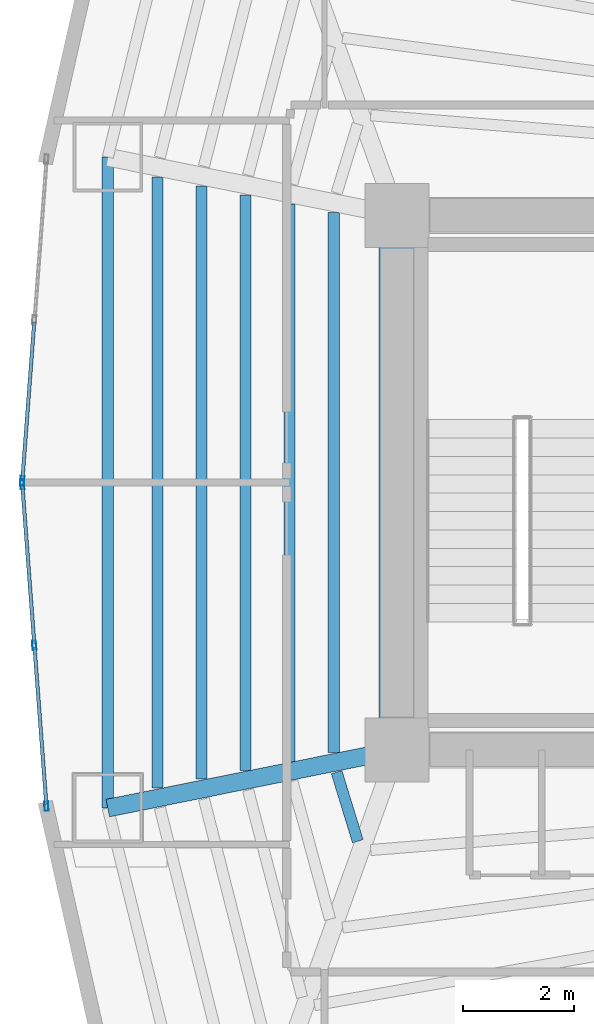
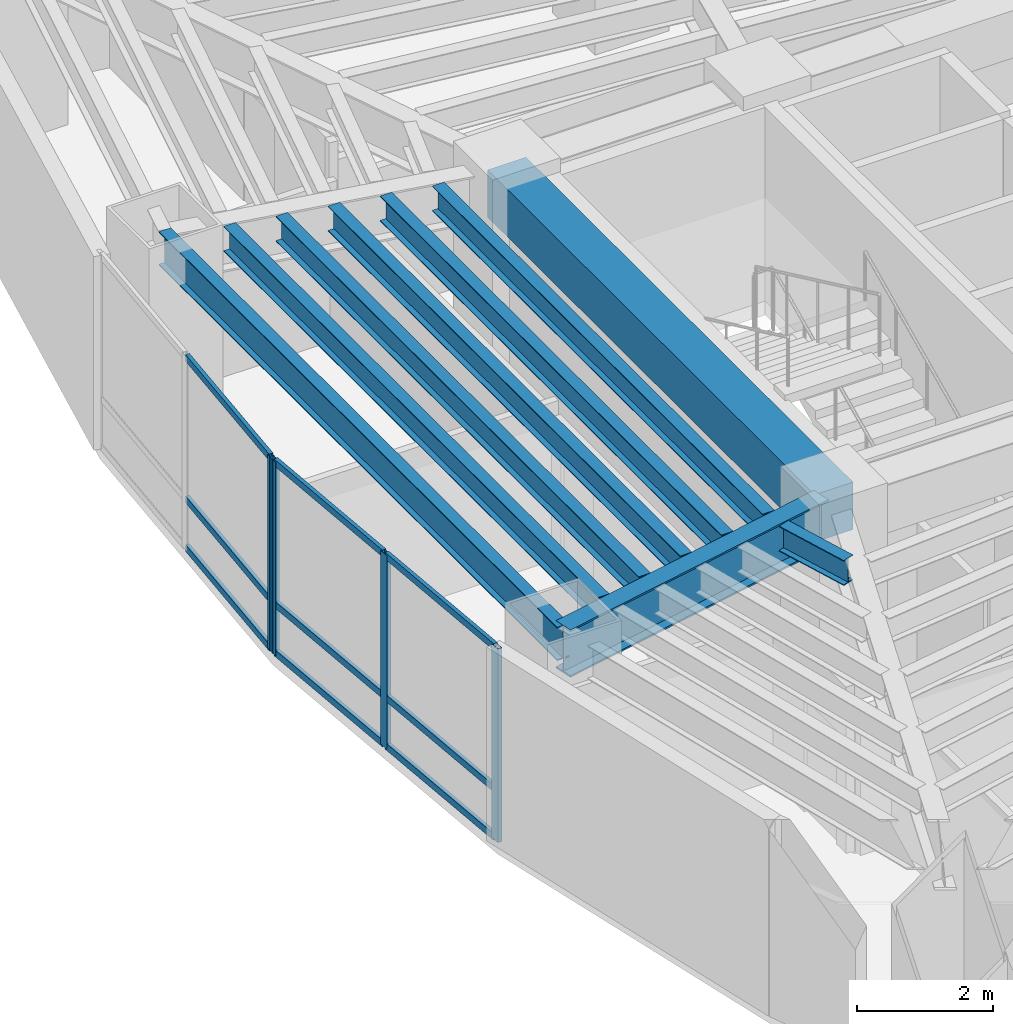
# One storey, part 3 of 16: 13 members, 9 beams, 2 elements without a shape of their own.
"""IFC4 building model written with IfcOpenShell, lengths in metres."""

from ifc_helpers import new_model, si_unit, direction, frame, origin, origin_2d, place, context, subcontext, project, spatial, rectangle, hollow_rectangle, i_section, extrude, material, layer, layer_set, material_profile, profile_set, type_object, element, aggregate, save


model = new_model("IFC4")

# Units and contexts
model_context = context("Model", 3, precision=1e-05, world=origin(), true_north=direction((0.0, 1.0)))
body_context = subcontext(model_context, "Body", "Model", "MODEL_VIEW")
ifc_project = project(units=[si_unit("LENGTHUNIT", "METRE"), si_unit("AREAUNIT", "SQUARE_METRE"), si_unit("VOLUMEUNIT", "CUBIC_METRE"), si_unit("PLANEANGLEUNIT", "RADIAN"), si_unit("MASSUNIT", "GRAM", prefix="KILO")], contexts=[model_context])

# Site, building, storey
site_placement = place(None, origin())
site = spatial("IfcSite", under=ifc_project, at=site_placement, CompositionType="ELEMENT")
building_placement = place(site_placement, origin())
building = spatial("IfcBuilding", under=site, at=building_placement, Name="Menara Vayukalpa", CompositionType="ELEMENT")
storey_placement = place(building_placement, frame((0.0, 0.0, 75.9599609375)))
storey = spatial("IfcBuildingStorey", under=building, at=storey_placement, Name="L18", CompositionType="ELEMENT", Elevation=75.9599609375)

# Beams
ifc_material_1 = material(Name="Concrete C60/75", Category="concrete")
ifc_material_profile_1 = material_profile(ifc_material_1, rectangle(XDim=0.64990234375, YDim=0.85009765625, at=origin_2d()), Name="RC 650x850")
ifc_profile_set_1 = profile_set([ifc_material_profile_1], Name="Concrete C60/75")
beam_type_1 = type_object("IfcBeamType", Name="BM-CB1", PredefinedType="BEAM", material=ifc_profile_set_1)
beam_1_placement = place(storey_placement, frame((17.800048828125, 17.199951171875, 3.044921875), z_axis=(0.0, 1.0, 0.0), x_axis=(-1.0, 0.0, 0.0)))
element("IfcBeam", 1, at=beam_1_placement, inside=storey, type_object=beam_type_1, Name="L18 Core Tie Beam CBR7", PredefinedType="BEAM", context=body_context, shape_type="SweptSolid", body=[
    extrude(rectangle(XDim=0.64990234375, YDim=0.85009765625, at=origin_2d()), origin(), (0.0, 0.0, 1.0), 9.60009765625),
])
ifc_material_2 = material(Name="Steel S355", Category="steel")
ifc_material_profile_2 = material_profile(ifc_material_2, i_section(OverallWidth=0.320068359375, OverallDepth=0.85009765625, WebThickness=0.01611328125, FlangeThickness=0.030029296875, at=origin_2d()), Name="WF 850x320x16x30")
ifc_profile_set_2 = profile_set([ifc_material_profile_2], Name="Steel S355")
beam_type_2 = type_object("IfcBeamType", Name="BM-PG2", PredefinedType="BEAM", material=ifc_profile_set_2)
beam_2_placement = place(storey_placement, frame((17.554931640625, 17.150634765625, 3.044921875), z_axis=(-0.980324984906, -0.197390283373, 0.0), x_axis=(0.197390283373, -0.980324984906, 0.0)))
element("IfcBeam", 2, at=beam_2_placement, inside=storey, type_object=beam_type_2, Name="L18 Primary Radial Girder RG06", PredefinedType="BEAM", context=body_context, shape_type="SweptSolid", body=[
    extrude(i_section(OverallWidth=0.320068359375, OverallDepth=0.85009765625, WebThickness=0.01611328125, FlangeThickness=0.030029296875, at=origin_2d()), origin(), (0.0, 0.0, 1.0), 5.047607421875),
])
ifc_material_3 = material(Name="Steel S355", Category="steel")
ifc_material_profile_3 = material_profile(ifc_material_3, i_section(OverallWidth=0.199951171875, OverallDepth=0.449951171875, WebThickness=0.009033203125, FlangeThickness=0.013916015625, at=origin_2d()), Name="WF 450x200x9x14")
ifc_profile_set_3 = profile_set([ifc_material_profile_3], Name="Steel S355")
beam_type_3 = type_object("IfcBeamType", Name="BM-SJ1", PredefinedType="JOIST", material=ifc_profile_set_3)
beam_3_placement = place(storey_placement, frame((16.664306640625, 26.8486328125, 3.2451171875), z_axis=(0.0, -1.0, 0.0), x_axis=(1.0, 0.0, 0.0)))
element("IfcBeam", 3, at=beam_3_placement, inside=storey, type_object=beam_type_3, Name="L18 Secondary Floor Joist SJ05-1", PredefinedType="JOIST", context=body_context, shape_type="SweptSolid", body=[
    extrude(i_section(OverallWidth=0.199951171875, OverallDepth=0.449951171875, WebThickness=0.009033203125, FlangeThickness=0.013916015625, at=origin_2d()), origin(), (0.0, 0.0, 1.0), 9.697265625),
])
beam_4_placement = place(storey_placement, frame((15.87255859375, 27.008056640625, 3.2451171875), z_axis=(0.0, -1.0, 0.0), x_axis=(1.0, 0.0, 0.0)))
element("IfcBeam", 4, at=beam_4_placement, inside=storey, type_object=beam_type_3, Name="L18 Secondary Floor Joist SJ05-2", PredefinedType="JOIST", context=body_context, shape_type="SweptSolid", body=[
    extrude(i_section(OverallWidth=0.199951171875, OverallDepth=0.449951171875, WebThickness=0.009033203125, FlangeThickness=0.013916015625, at=origin_2d()), origin(), (0.0, 0.0, 1.0), 10.01611328125),
])
beam_5_placement = place(storey_placement, frame((15.080810546875, 27.16748046875, 3.2451171875), z_axis=(0.0, -1.0, 0.0), x_axis=(1.0, 0.0, 0.0)))
element("IfcBeam", 5, at=beam_5_placement, inside=storey, type_object=beam_type_3, Name="L18 Secondary Floor Joist SJ05-3", PredefinedType="JOIST", context=body_context, shape_type="SweptSolid", body=[
    extrude(i_section(OverallWidth=0.199951171875, OverallDepth=0.449951171875, WebThickness=0.009033203125, FlangeThickness=0.013916015625, at=origin_2d()), origin(), (0.0, 0.0, 1.0), 10.3349609375),
])
beam_6_placement = place(storey_placement, frame((14.2890625, 27.326904296875, 3.2451171875), z_axis=(0.0, -1.0, 0.0), x_axis=(1.0, 0.0, 0.0)))
element("IfcBeam", 6, at=beam_6_placement, inside=storey, type_object=beam_type_3, Name="L18 Secondary Floor Joist SJ05-4", PredefinedType="JOIST", context=body_context, shape_type="SweptSolid", body=[
    extrude(i_section(OverallWidth=0.199951171875, OverallDepth=0.449951171875, WebThickness=0.009033203125, FlangeThickness=0.013916015625, at=origin_2d()), origin(), (0.0, 0.0, 1.0), 10.65380859375),
])
beam_7_placement = place(storey_placement, frame((13.497314453125, 27.486328125, 3.2451171875), z_axis=(0.0, -1.0, 0.0), x_axis=(1.0, 0.0, 0.0)))
element("IfcBeam", 7, at=beam_7_placement, inside=storey, type_object=beam_type_3, Name="L18 Secondary Floor Joist SJ05-5", PredefinedType="JOIST", context=body_context, shape_type="SweptSolid", body=[
    extrude(i_section(OverallWidth=0.199951171875, OverallDepth=0.449951171875, WebThickness=0.009033203125, FlangeThickness=0.013916015625, at=origin_2d()), origin(), (0.0, 0.0, 1.0), 10.97265625),
])
beam_8_placement = place(storey_placement, frame((16.716796875, 16.79931640625, 3.2451171875), z_axis=(0.292802109412, -0.95617306212, 0.0), x_axis=(0.95617306212, 0.292802109412, 0.0)))
element("IfcBeam", 8, at=beam_8_placement, inside=storey, type_object=beam_type_3, Name="L18 Secondary Floor Joist SJ06-1", PredefinedType="JOIST", context=body_context, shape_type="SweptSolid", body=[
    extrude(i_section(OverallWidth=0.199951171875, OverallDepth=0.449951171875, WebThickness=0.009033203125, FlangeThickness=0.013916015625, at=origin_2d()), origin(), (0.0, 0.0, 1.0), 1.296630859375),
])
ifc_material_4 = material(Name="Steel S355", Category="steel")
ifc_material_profile_4 = material_profile(ifc_material_4, i_section(OverallWidth=0.199951171875, OverallDepth=0.60009765625, WebThickness=0.010986328125, FlangeThickness=0.01708984375, at=origin_2d()), Name="WF 600x200x11x17")
ifc_profile_set_4 = profile_set([ifc_material_profile_4], Name="Steel S355")
beam_type_4 = type_object("IfcBeamType", Name="BM-SP1", PredefinedType="SPANDREL", material=ifc_profile_set_4)
beam_9_placement = place(storey_placement, frame((12.606689453125, 27.845703125, 3.169921875), z_axis=(0.0, -1.0, 0.0), x_axis=(1.0, 0.0, 0.0)))
element("IfcBeam", 9, at=beam_9_placement, inside=storey, type_object=beam_type_4, Name="L18 Perimeter Spandrel Beam SP05", PredefinedType="SPANDREL", context=body_context, shape_type="SweptSolid", body=[
    extrude(i_section(OverallWidth=0.199951171875, OverallDepth=0.60009765625, WebThickness=0.010986328125, FlangeThickness=0.01708984375, at=origin_2d()), origin(), (0.0, 0.0, 1.0), 11.69140625),
])

# Curtain wall, member
ifc_material_5 = material(Name="Anodised Terracotta Aluminium Alloy 6063-T6", Category="masonry")
ifc_layer = layer(ifc_material_5, 0.1650390625)
ifc_layer_set = layer_set([ifc_layer], Name="Anodised Terracotta Aluminium Alloy 6063-T6")
curtain_wall_type = type_object("IfcCurtainWallType", Name="CW-CW2", PredefinedType="USERDEFINED", material=ifc_layer_set)
curtain_wall_1_placement = place(storey_placement, origin())
curtain_wall_1 = element("IfcCurtainWall", 10, at=curtain_wall_1_placement, inside=storey, type_object=curtain_wall_type, Name="L18 Low Rise Terracotta Ribbon Curtain Wall CW2 10", ObjectType="UNITISED", PredefinedType="USERDEFINED")
ifc_material_6 = material(Name="Anodised Terracotta Aluminium Alloy 6063-T6", Category="masonry")
ifc_material_profile_5 = material_profile(ifc_material_6, hollow_rectangle(XDim=0.070068359375, YDim=0.1650390625, WallThickness=0.00390625, at=origin_2d()), Name="ALU 70x165x4")
ifc_profile_set_5 = profile_set([ifc_material_profile_5], Name="Anodised Terracotta Aluminium Alloy 6063-T6")
member_type_1 = type_object("IfcMemberType", Name="CWM-CW2", PredefinedType="MULLION", material=ifc_profile_set_5)
member_1_placement = place(storey_placement, frame((11.07080078125, 22.034912109375, 0.0), z_axis=(0.0, 0.0, 1.0), x_axis=(0.997199659745, -0.07478528334, 0.0)))
member_1 = element("IfcMember", 11, at=member_1_placement, type_object=member_type_1, Name="CW2 mullion 3", PredefinedType="MULLION", context=body_context, shape_type="SweptSolid", body=[
    extrude(hollow_rectangle(XDim=0.070068359375, YDim=0.1650390625, WallThickness=0.00390625, at=origin_2d()), origin(), (0.0, 0.0, 1.0), 3.469970703125),
])

# Curtain wall, members
curtain_wall_2_placement = place(storey_placement, origin())
curtain_wall_2 = element("IfcCurtainWall", 12, at=curtain_wall_2_placement, inside=storey, type_object=curtain_wall_type, Name="L18 Low Rise Terracotta Ribbon Curtain Wall CW2 11", ObjectType="UNITISED", PredefinedType="USERDEFINED")
member_2_placement = place(storey_placement, frame((11.07080078125, 21.965087890625, 0.0), z_axis=(0.0, 0.0, 1.0), x_axis=(0.997199659745, 0.07478528334, 0.0)))
member_2 = element("IfcMember", 13, at=member_2_placement, type_object=member_type_1, Name="CW2 mullion 1", PredefinedType="MULLION", context=body_context, shape_type="SweptSolid", body=[
    extrude(hollow_rectangle(XDim=0.070068359375, YDim=0.1650390625, WallThickness=0.00390625, at=origin_2d()), origin(), (0.0, 0.0, 1.0), 3.469970703125),
])
member_3_placement = place(storey_placement, frame((11.287353515625, 19.0771484375, 0.0), z_axis=(0.0, 0.0, 1.0), x_axis=(0.997199659745, 0.07478528334, 0.0)))
member_3 = element("IfcMember", 14, at=member_3_placement, type_object=member_type_1, Name="CW2 mullion 2", PredefinedType="MULLION", context=body_context, shape_type="SweptSolid", body=[
    extrude(hollow_rectangle(XDim=0.070068359375, YDim=0.1650390625, WallThickness=0.00390625, at=origin_2d()), origin(), (0.0, 0.0, 1.0), 3.469970703125),
])
member_4_placement = place(storey_placement, frame((11.50390625, 16.189208984375, 0.0), z_axis=(0.0, 0.0, 1.0), x_axis=(0.997199659745, 0.07478528334, 0.0)))
member_4 = element("IfcMember", 15, at=member_4_placement, type_object=member_type_1, Name="CW2 mullion 3", PredefinedType="MULLION", context=body_context, shape_type="SweptSolid", body=[
    extrude(hollow_rectangle(XDim=0.070068359375, YDim=0.1650390625, WallThickness=0.00390625, at=origin_2d()), origin(), (0.0, 0.0, 1.0), 3.469970703125),
])

# Member
ifc_material_7 = material(Name="Anodised Terracotta Aluminium Alloy 6063-T6", Category="masonry")
ifc_material_profile_6 = material_profile(ifc_material_7, hollow_rectangle(XDim=0.06494140625, YDim=0.1201171875, WallThickness=0.00341796875, at=origin_2d()), Name="ALU 65x120x3.5")
ifc_profile_set_6 = profile_set([ifc_material_profile_6], Name="Anodised Terracotta Aluminium Alloy 6063-T6")
member_type_2 = type_object("IfcMemberType", Name="CWT-CW2", PredefinedType="USERDEFINED", material=ifc_profile_set_6)
member_5_placement = place(storey_placement, frame((11.28466796875, 24.887939453125, 0.032470703125), z_axis=(-0.074727665421, -0.997203979144, 0.0), x_axis=(0.997203979144, -0.074727665421, 0.0)))
member_5 = element("IfcMember", 16, at=member_5_placement, type_object=member_type_2, Name="CW2 transom 2.1", ObjectType="TRANSOM", PredefinedType="USERDEFINED", context=body_context, shape_type="SweptSolid", body=[
    extrude(hollow_rectangle(XDim=0.06494140625, YDim=0.1201171875, WallThickness=0.00341796875, at=origin_2d()), origin(), (0.0, 0.0, 1.0), 2.825927734375),
])

member_6_placement = place(storey_placement, frame((11.28466796875, 24.887939453125, 0.900146484375), z_axis=(-0.074727665421, -0.997203979144, 0.0), x_axis=(0.997203979144, -0.074727665421, 0.0)))
member_6 = element("IfcMember", 17, at=member_6_placement, type_object=member_type_2, Name="CW2 transom 2.2", ObjectType="TRANSOM", PredefinedType="USERDEFINED", context=body_context, shape_type="SweptSolid", body=[
    extrude(hollow_rectangle(XDim=0.06494140625, YDim=0.1201171875, WallThickness=0.00341796875, at=origin_2d()), origin(), (0.0, 0.0, 1.0), 2.825927734375),
])

member_7_placement = place(storey_placement, frame((11.28466796875, 24.887939453125, 3.4375), z_axis=(-0.074727665421, -0.997203979144, 0.0), x_axis=(0.997203979144, -0.074727665421, 0.0)))
member_7 = element("IfcMember", 18, at=member_7_placement, type_object=member_type_2, Name="CW2 transom 2.3", ObjectType="TRANSOM", PredefinedType="USERDEFINED", context=body_context, shape_type="SweptSolid", body=[
    extrude(hollow_rectangle(XDim=0.06494140625, YDim=0.1201171875, WallThickness=0.00341796875, at=origin_2d()), origin(), (0.0, 0.0, 1.0), 2.825927734375),
])

aggregate(curtain_wall_1, [member_1, member_5, member_6, member_7])

member_8_placement = place(storey_placement, frame((11.073486328125, 21.93017578125, 0.032470703125), z_axis=(0.074727665421, -0.997203979144, 0.0), x_axis=(0.997203979144, 0.074727665421, 0.0)))
member_8 = element("IfcMember", 19, at=member_8_placement, type_object=member_type_2, Name="CW2 transom 1.1", ObjectType="TRANSOM", PredefinedType="USERDEFINED", context=body_context, shape_type="SweptSolid", body=[
    extrude(hollow_rectangle(XDim=0.06494140625, YDim=0.1201171875, WallThickness=0.00341796875, at=origin_2d()), origin(), (0.0, 0.0, 1.0), 2.825927734375),
])

member_9_placement = place(storey_placement, frame((11.073486328125, 21.93017578125, 0.900146484375), z_axis=(0.074727665421, -0.997203979144, 0.0), x_axis=(0.997203979144, 0.074727665421, 0.0)))
member_9 = element("IfcMember", 20, at=member_9_placement, type_object=member_type_2, Name="CW2 transom 1.2", ObjectType="TRANSOM", PredefinedType="USERDEFINED", context=body_context, shape_type="SweptSolid", body=[
    extrude(hollow_rectangle(XDim=0.06494140625, YDim=0.1201171875, WallThickness=0.00341796875, at=origin_2d()), origin(), (0.0, 0.0, 1.0), 2.825927734375),
])

member_10_placement = place(storey_placement, frame((11.073486328125, 21.93017578125, 3.4375), z_axis=(0.074727665421, -0.997203979144, 0.0), x_axis=(0.997203979144, 0.074727665421, 0.0)))
member_10 = element("IfcMember", 21, at=member_10_placement, type_object=member_type_2, Name="CW2 transom 1.3", ObjectType="TRANSOM", PredefinedType="USERDEFINED", context=body_context, shape_type="SweptSolid", body=[
    extrude(hollow_rectangle(XDim=0.06494140625, YDim=0.1201171875, WallThickness=0.00341796875, at=origin_2d()), origin(), (0.0, 0.0, 1.0), 2.825927734375),
])

member_11_placement = place(storey_placement, frame((11.2900390625, 19.042236328125, 0.032470703125), z_axis=(0.074813572531, -0.997197537785, 0.0), x_axis=(0.997197537785, 0.074813572531, 0.0)))
member_11 = element("IfcMember", 22, at=member_11_placement, type_object=member_type_2, Name="CW2 transom 2.1", ObjectType="TRANSOM", PredefinedType="USERDEFINED", context=body_context, shape_type="SweptSolid", body=[
    extrude(hollow_rectangle(XDim=0.06494140625, YDim=0.1201171875, WallThickness=0.00341796875, at=origin_2d()), origin(), (0.0, 0.0, 1.0), 2.825927734375),
])

member_12_placement = place(storey_placement, frame((11.2900390625, 19.042236328125, 0.900146484375), z_axis=(0.074813572531, -0.997197537785, 0.0), x_axis=(0.997197537785, 0.074813572531, 0.0)))
member_12 = element("IfcMember", 23, at=member_12_placement, type_object=member_type_2, Name="CW2 transom 2.2", ObjectType="TRANSOM", PredefinedType="USERDEFINED", context=body_context, shape_type="SweptSolid", body=[
    extrude(hollow_rectangle(XDim=0.06494140625, YDim=0.1201171875, WallThickness=0.00341796875, at=origin_2d()), origin(), (0.0, 0.0, 1.0), 2.825927734375),
])

member_13_placement = place(storey_placement, frame((11.2900390625, 19.042236328125, 3.4375), z_axis=(0.074813572531, -0.997197537785, 0.0), x_axis=(0.997197537785, 0.074813572531, 0.0)))
member_13 = element("IfcMember", 24, at=member_13_placement, type_object=member_type_2, Name="CW2 transom 2.3", ObjectType="TRANSOM", PredefinedType="USERDEFINED", context=body_context, shape_type="SweptSolid", body=[
    extrude(hollow_rectangle(XDim=0.06494140625, YDim=0.1201171875, WallThickness=0.00341796875, at=origin_2d()), origin(), (0.0, 0.0, 1.0), 2.825927734375),
])

aggregate(curtain_wall_2, [member_2, member_3, member_4, member_8, member_9, member_10, member_11, member_12, member_13])

save(model, "model.ifc")
